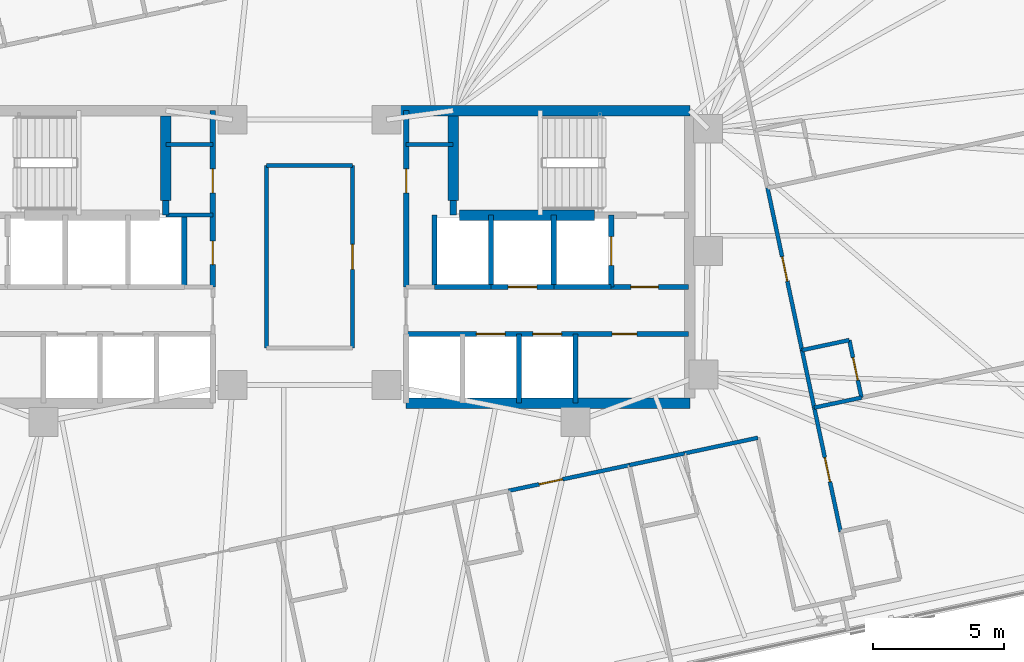
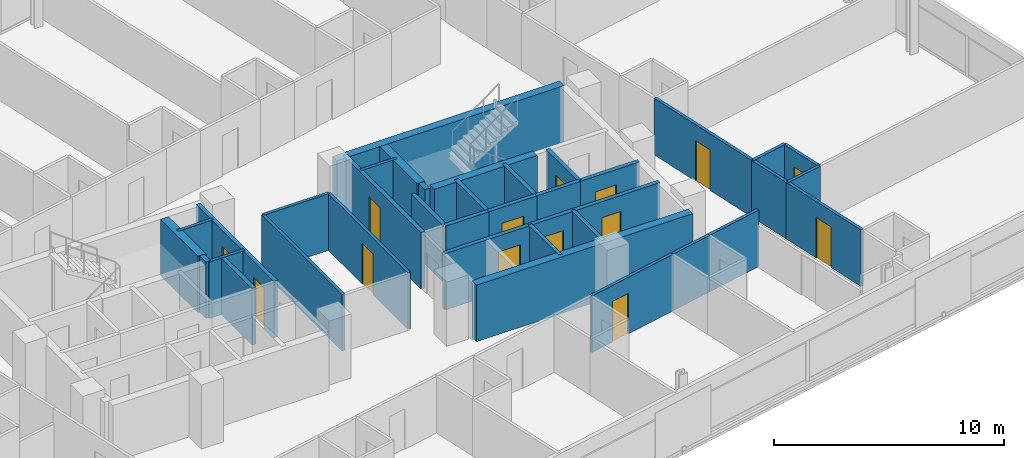
# One storey, part 16 of 20: 36 walls, 14 doors, 14 openings.
"""IFC4 building model written with IfcOpenShell, lengths in metres."""

from ifc_helpers import new_model, si_unit, direction, frame, frame_2d, origin, place, context, subcontext, project, spatial, rectangle, extrude, material, layer, layer_set, type_object, element, fill, save


model = new_model("IFC4")

# Units and contexts
model_context = context("Model", 3, precision=1e-05, world=origin(), true_north=direction((0.0, 1.0)))
body_context = subcontext(model_context, "Body", "Model", "MODEL_VIEW")
ifc_project = project(units=[si_unit("LENGTHUNIT", "METRE"), si_unit("AREAUNIT", "SQUARE_METRE"), si_unit("VOLUMEUNIT", "CUBIC_METRE"), si_unit("PLANEANGLEUNIT", "RADIAN"), si_unit("MASSUNIT", "GRAM", prefix="KILO")], contexts=[model_context])

# Site, building, storey
site_placement = place(None, origin())
site = spatial("IfcSite", under=ifc_project, at=site_placement, CompositionType="ELEMENT")
building_placement = place(site_placement, origin())
building = spatial("IfcBuilding", under=site, at=building_placement, Name="Menara Jurai Vektor", CompositionType="ELEMENT")
storey_placement = place(building_placement, frame((0.0, 0.0, 199.0)))
storey = spatial("IfcBuildingStorey", under=building, at=storey_placement, Name="L52", CompositionType="ELEMENT", Elevation=199.0)

# Walls
ifc_material_1 = material(Name="Concrete C40/50", Category="concrete")
ifc_layer_1 = layer(ifc_material_1, 0.25)
ifc_layer_set_1 = layer_set([ifc_layer_1], Name="Concrete C40/50")
wall_type_1 = type_object("IfcWallType", Name="INT-WALL-CORE-250", PredefinedType="STANDARD", material=ifc_layer_set_1)
for number, where, z_axis, x_axis, name in (
    (1, (-5.5, 1.60009765625, 0.0), (0.0, 0.0, 1.0), (0.0, 1.0, 0.0), "Interior Wall IW-250 L52"),
    (2, (5.5, 1.60009765625, 0.0), (0.0, 0.0, 1.0), (0.0, 1.0, 0.0), "Interior Wall IW-250 L52"),
):
    element("IfcWall", number, at=place(storey_placement, frame(where, z_axis=z_axis, x_axis=x_axis)), inside=storey, type_object=wall_type_1, Name=name, PredefinedType="STANDARD", context=body_context, shape_type="SweptSolid", body=[
        extrude(rectangle(XDim=0.5498046875, YDim=0.25, at=frame_2d((0.27490234375, 0.0))), origin(), (0.0, 0.0, 1.0), 3.0),
    ])

# Wall, opening, door
wall_1_placement = place(storey_placement, frame((11.550048828125, -1.14990234375, 0.0), z_axis=(0.0, 0.0, 1.0), x_axis=(0.0, 1.0, 0.0)))
wall_1 = element("IfcWall", 3, at=wall_1_placement, inside=storey, type_object=wall_type_1, Name="Interior Wall IW-250 L52", PredefinedType="STANDARD", context=body_context, shape_type="SweptSolid", body=[
    extrude(rectangle(XDim=2.75, YDim=0.199951171875, at=frame_2d((1.375, 0.0))), origin(), (0.0, 0.0, 1.0), 3.0),
])
opening_1_placement = place(wall_1_placement, frame((0.824951171875, 0.0, 0.0)))
opening_1 = element("IfcOpeningElement", 4, at=opening_1_placement, cuts=wall_1, Name="Opening LD-L52-FL2", PredefinedType="OPENING", context=body_context, shape_type="SweptSolid", body=[
    extrude(rectangle(XDim=1.10009765625, YDim=2.14990234375, at=frame_2d((0.550048828125, 1.074951171875))), frame((0.0, 0.10986328125, 0.0), z_axis=(0.0, -1.0, 0.0), x_axis=(1.0, 0.0, 0.0)), (0.0, 0.0, 1.0), 0.219970703125),
])
ifc_material_2 = material(Name="Stainless Steel Sliding Lift Landing Door", Category="steel")
door_type_1 = type_object("IfcDoorType", Name="DR-LIFT-FIRE-1100", OperationType="NOTDEFINED", PredefinedType="DOOR", material=ifc_material_2)
door_1_placement = place(opening_1_placement, origin())
door_1 = element("IfcDoor", 5, at=door_1_placement, inside=storey, type_object=door_type_1, Name="Lift Landing Door FL2 L52", OperationType="SLIDING_TO_RIGHT", OverallHeight=2.14990234375, OverallWidth=1.10009765625, PredefinedType="DOOR", context=body_context, shape_type="SweptSolid", body=[
    extrude(rectangle(XDim=1.10009765625, YDim=2.14990234375, at=frame_2d((0.550048828125, 1.074951171875))), frame((0.0, 0.02490234375, 0.0), z_axis=(0.0, -1.0, 0.0), x_axis=(1.0, 0.0, 0.0)), (0.0, 0.0, 1.0), 0.050048828125),
])
fill(opening_1, door_1)

# Wall
wall_2_placement = place(storey_placement, frame((9.35009765625, -1.14990234375, 0.0), z_axis=(0.0, 0.0, 1.0), x_axis=(0.0, 1.0, 0.0)))
element("IfcWall", 6, at=wall_2_placement, inside=storey, type_object=wall_type_1, Name="Interior Wall IW-250 L52", PredefinedType="STANDARD", context=body_context, shape_type="SweptSolid", body=[
    extrude(rectangle(XDim=2.75, YDim=0.199951171875, at=frame_2d((1.375, 0.0))), origin(), (0.0, 0.0, 1.0), 3.0),
])

# Wall, opening, door
wall_3_placement = place(storey_placement, frame((11.550048828125, -1.14990234375, 0.0), z_axis=(0.0, 0.0, 1.0), x_axis=(1.0, 0.0, 0.0)))
wall_3 = element("IfcWall", 7, at=wall_3_placement, inside=storey, type_object=wall_type_1, Name="Interior Wall IW-250 L52", PredefinedType="STANDARD", context=body_context, shape_type="SweptSolid", body=[
    extrude(rectangle(XDim=2.949951171875, YDim=0.199951171875, at=frame_2d((1.47509765625, 0.0))), origin(), (0.0, 0.0, 1.0), 3.0),
])
opening_2_placement = place(wall_3_placement, frame((0.75, 0.0, 0.0)))
opening_2 = element("IfcOpeningElement", 8, at=opening_2_placement, cuts=wall_3, Name="Opening D-L52-FFE", PredefinedType="OPENING", context=body_context, shape_type="SweptSolid", body=[
    extrude(rectangle(XDim=1.050048828125, YDim=2.179931640625, at=frame_2d((0.52490234375, 1.08984375))), frame((0.0, 0.10986328125, 0.0), z_axis=(0.0, -1.0, 0.0), x_axis=(1.0, 0.0, 0.0)), (0.0, 0.0, 1.0), 0.219970703125),
])
ifc_material_3 = material(Name="Fire-Rated Timber Door", Category="wood")
door_type_2 = type_object("IfcDoorType", Name="DR-LOBBY-1050", OperationType="NOTDEFINED", PredefinedType="DOOR", material=ifc_material_3)
door_2_placement = place(opening_2_placement, origin())
door_2 = element("IfcDoor", 9, at=door_2_placement, inside=storey, type_object=door_type_2, Name="Fire Lift Lobby Door E L52", OperationType="SINGLE_SWING_LEFT", OverallHeight=2.179931640625, OverallWidth=1.050048828125, PredefinedType="DOOR", context=body_context, shape_type="SweptSolid", body=[
    extrude(rectangle(XDim=1.050048828125, YDim=2.179931640625, at=frame_2d((0.52490234375, 1.08984375))), frame((0.0, 0.02490234375, 0.0), z_axis=(0.0, -1.0, 0.0), x_axis=(1.0, 0.0, 0.0)), (0.0, 0.0, 1.0), 0.050048828125),
])
fill(opening_2, door_2)

# Walls
wall_4_placement = place(storey_placement, frame((9.35009765625, -1.14990234375, 0.0), z_axis=(0.0, 0.0, 1.0), x_axis=(1.0, 0.0, 0.0)))
element("IfcWall", 10, at=wall_4_placement, inside=storey, type_object=wall_type_1, Name="Interior Wall IW-250 L52", PredefinedType="STANDARD", context=body_context, shape_type="SweptSolid", body=[
    extrude(rectangle(XDim=2.199951171875, YDim=0.199951171875, at=frame_2d((1.10009765625, 0.0))), origin(), (0.0, 0.0, 1.0), 3.0),
])
ifc_material_4 = material(Name="Gypsum Fireboard Partition", Category="gypsum")
ifc_layer_2 = layer(ifc_material_4, 0.14990234375)
ifc_layer_set_2 = layer_set([ifc_layer_2], Name="Gypsum Fireboard Partition")
wall_type_2 = type_object("IfcWallType", Name="INT-WALL-CORR-150", PredefinedType="PARTITIONING", material=ifc_layer_set_2)
for number, where, z_axis, x_axis, name in (
    (11, (-5.5, 4.300048828125, 0.0), (0.0, 0.0, 1.0), (1.0, 0.0, 0.0), "Interior Wall IW-150 L52"),
    (12, (-5.5, 1.60009765625, 0.0), (0.0, 0.0, 1.0), (1.0, 0.0, 0.0), "Interior Wall IW-150 L52"),
    (13, (3.699951171875, 4.300048828125, 0.0), (0.0, 0.0, 1.0), (1.0, 0.0, 0.0), "Interior Wall IW-150 L52"),
):
    element("IfcWall", number, at=place(storey_placement, frame(where, z_axis=z_axis, x_axis=x_axis)), inside=storey, type_object=wall_type_2, Name=name, PredefinedType="PARTITIONING", context=body_context, shape_type="SweptSolid", body=[
        extrude(rectangle(XDim=1.800048828125, YDim=0.14990234375, at=frame_2d((0.89990234375, 0.0))), origin(), (0.0, 0.0, 1.0), 3.0),
    ])
wall_5_placement = place(storey_placement, frame((-1.64990234375, -3.489501953125, 0.0), z_axis=(0.0, 0.0, 1.0), x_axis=(-3.4979712e-05, 0.999999999388, 0.0)))
element("IfcWall", 14, at=wall_5_placement, inside=storey, type_object=wall_type_2, Name="Interior Wall IW-150 L52", PredefinedType="PARTITIONING", context=body_context, shape_type="SweptSolid", body=[
    extrude(rectangle(XDim=6.9794921875, YDim=0.14990234375, at=frame_2d((3.48974609375, 0.0))), origin(), (0.0, 0.0, 1.0), 3.0),
])
wall_6_placement = place(storey_placement, frame((-1.650146484375, 3.489990234375, 0.0), z_axis=(0.0, 0.0, 1.0), x_axis=(1.0, 0.0, 0.0)))
element("IfcWall", 15, at=wall_6_placement, inside=storey, type_object=wall_type_2, Name="Interior Wall IW-150 L52", PredefinedType="PARTITIONING", context=body_context, shape_type="SweptSolid", body=[
    extrude(rectangle(XDim=3.300048828125, YDim=0.14990234375, at=frame_2d((1.64990234375, 0.0))), origin(), (0.0, 0.0, 1.0), 3.0),
])

# Wall, opening, door
wall_7_placement = place(storey_placement, frame((1.650390625, -3.490234375, 0.0), z_axis=(0.0, 0.0, 1.0), x_axis=(-6.9952083e-05, 0.999999997553, 0.0)))
wall_7 = element("IfcWall", 16, at=wall_7_placement, inside=storey, type_object=wall_type_2, Name="Interior Wall IW-150 L52", PredefinedType="PARTITIONING", context=body_context, shape_type="SweptSolid", body=[
    extrude(rectangle(XDim=6.980224609375, YDim=0.14990234375, at=frame_2d((3.490234375, 0.0))), origin(), (0.0, 0.0, 1.0), 3.0),
])
opening_3_placement = place(wall_7_placement, frame((3.01513671875, 0.0, 0.0)))
opening_3 = element("IfcOpeningElement", 17, at=opening_3_placement, cuts=wall_7, Name="Opening D52-06", PredefinedType="OPENING", context=body_context, shape_type="SweptSolid", body=[
    extrude(rectangle(XDim=0.949951171875, YDim=2.14990234375, at=frame_2d((0.47509765625, 1.074951171875))), frame((0.0, 0.0849609375, 0.0), z_axis=(0.0, -1.0, 0.0), x_axis=(1.0, 0.0, 0.0)), (0.0, 0.0, 1.0), 0.169921875),
])
ifc_material_5 = material(Name="Solid Core Timber Fire Door", Category="wood")
door_type_3 = type_object("IfcDoorType", Name="DR-ENTRY-950", OperationType="NOTDEFINED", PredefinedType="DOOR", material=ifc_material_5)
door_3_placement = place(opening_3_placement, origin())
door_3 = element("IfcDoor", 18, at=door_3_placement, inside=storey, type_object=door_type_3, Name="Interior Door D52-06", OperationType="SINGLE_SWING_LEFT", OverallHeight=2.14990234375, OverallWidth=0.949951171875, PredefinedType="DOOR", context=body_context, shape_type="SweptSolid", body=[
    extrude(rectangle(XDim=0.949951171875, YDim=2.14990234375, at=frame_2d((0.47509765625, 1.074951171875))), frame((0.0, 0.02490234375, 0.0), z_axis=(0.0, -1.0, 0.0), x_axis=(1.0, 0.0, 0.0)), (0.0, 0.0, 1.0), 0.050048828125),
])
fill(opening_3, door_3)

wall_8_placement = place(storey_placement, frame((7.61767578125, -8.9541015625, 0.0), z_axis=(0.0, 0.0, 1.0), x_axis=(0.978140347221, 0.207945812984, 0.0)))
wall_8 = element("IfcWall", 19, at=wall_8_placement, inside=storey, type_object=wall_type_2, Name="Interior Wall IW-150 L52", PredefinedType="PARTITIONING", context=body_context, shape_type="SweptSolid", body=[
    extrude(rectangle(XDim=4.72900390625, YDim=0.14990234375, at=frame_2d((2.364501953125, 0.0))), origin(), (0.0, 0.0, 1.0), 3.0),
])
opening_4_placement = place(wall_8_placement, frame((1.1953125, 0.0, 0.0)))
opening_4 = element("IfcOpeningElement", 20, at=opening_4_placement, cuts=wall_8, Name="Opening D52-23", PredefinedType="OPENING", context=body_context, shape_type="SweptSolid", body=[
    extrude(rectangle(XDim=0.919921875, YDim=2.14990234375, at=frame_2d((0.4599609375, 1.074951171875))), frame((0.0, 0.0849609375, 0.0), z_axis=(0.0, -1.0, 0.0), x_axis=(1.0, 0.0, 0.0)), (0.0, 0.0, 1.0), 0.169921875),
])
door_4_placement = place(opening_4_placement, origin())
door_4 = element("IfcDoor", 21, at=door_4_placement, inside=storey, type_object=door_type_3, Name="Interior Door D52-23", OperationType="SINGLE_SWING_RIGHT", OverallHeight=2.14990234375, OverallWidth=0.919921875, PredefinedType="DOOR", context=body_context, shape_type="SweptSolid", body=[
    extrude(rectangle(XDim=0.919921875, YDim=2.14990234375, at=frame_2d((0.4599609375, 1.074951171875))), frame((0.0, 0.02490234375, 0.0), z_axis=(0.0, -1.0, 0.0), x_axis=(1.0, 0.0, 0.0)), (0.0, 0.0, 1.0), 0.050048828125),
])
fill(opening_4, door_4)

# Walls
wall_9_placement = place(storey_placement, frame((14.346435546875, -7.523681640625, 0.0), z_axis=(0.0, 0.0, 1.0), x_axis=(0.97816208355, 0.207843542851, 0.0)))
element("IfcWall", 22, at=wall_9_placement, inside=storey, type_object=wall_type_2, Name="Interior Wall IW-150 L52", PredefinedType="PARTITIONING", context=body_context, shape_type="SweptSolid", body=[
    extrude(rectangle(XDim=2.879150390625, YDim=0.14990234375, at=frame_2d((1.439453125, 0.0))), origin(), (0.0, 0.0, 1.0), 3.0),
])
wall_10_placement = place(storey_placement, frame((12.243408203125, -7.970703125, 0.0), z_axis=(0.0, 0.0, 1.0), x_axis=(0.978146728319, 0.207915795165, 0.0)))
element("IfcWall", 23, at=wall_10_placement, inside=storey, type_object=wall_type_2, Name="Interior Wall IW-150 L52", PredefinedType="PARTITIONING", context=body_context, shape_type="SweptSolid", body=[
    extrude(rectangle(XDim=2.14990234375, YDim=0.14990234375, at=frame_2d((1.074951171875, 0.0))), origin(), (0.0, 0.0, 1.0), 3.0),
])

# Wall, opening, door
wall_11_placement = place(storey_placement, frame((20.328125, -10.515380859375, 0.0), z_axis=(0.0, 0.0, 1.0), x_axis=(-0.207950868925, 0.97813927235, 0.0)))
wall_11 = element("IfcWall", 24, at=wall_11_placement, inside=storey, type_object=wall_type_2, Name="Interior Wall IW-150 L52", PredefinedType="PARTITIONING", context=body_context, shape_type="SweptSolid", body=[
    extrude(rectangle(XDim=4.849853515625, YDim=0.14990234375, at=frame_2d((2.4248046875, 0.0))), origin(), (0.0, 0.0, 1.0), 3.0),
])
opening_5_placement = place(wall_11_placement, frame((1.949951171875, 0.0, 0.0)))
opening_5 = element("IfcOpeningElement", 25, at=opening_5_placement, cuts=wall_11, Name="Opening D52-37", PredefinedType="OPENING", context=body_context, shape_type="SweptSolid", body=[
    extrude(rectangle(XDim=0.949951171875, YDim=2.14990234375, at=frame_2d((0.47509765625, 1.074951171875))), frame((0.0, 0.0849609375, 0.0), z_axis=(0.0, -1.0, 0.0), x_axis=(1.0, 0.0, 0.0)), (0.0, 0.0, 1.0), 0.169921875),
])
door_5_placement = place(opening_5_placement, origin())
door_5 = element("IfcDoor", 26, at=door_5_placement, inside=storey, type_object=door_type_3, Name="Interior Door D52-37", OperationType="SINGLE_SWING_RIGHT", OverallHeight=2.14990234375, OverallWidth=0.949951171875, PredefinedType="DOOR", context=body_context, shape_type="SweptSolid", body=[
    extrude(rectangle(XDim=0.949951171875, YDim=2.14990234375, at=frame_2d((0.47509765625, 1.074951171875))), frame((0.0, 0.02490234375, 0.0), z_axis=(0.0, -1.0, 0.0), x_axis=(1.0, 0.0, 0.0)), (0.0, 0.0, 1.0), 0.050048828125),
])
fill(opening_5, door_5)

wall_12_placement = place(storey_placement, frame((18.851806640625, -3.57080078125, 0.0), z_axis=(0.0, 0.0, 1.0), x_axis=(-0.207879907349, 0.978154355979, 0.0)))
wall_12 = element("IfcWall", 27, at=wall_12_placement, inside=storey, type_object=wall_type_2, Name="Interior Wall IW-150 L52", PredefinedType="PARTITIONING", context=body_context, shape_type="SweptSolid", body=[
    extrude(rectangle(XDim=6.35009765625, YDim=0.14990234375, at=frame_2d((3.175048828125, 0.0))), origin(), (0.0, 0.0, 1.0), 3.0),
])
opening_6_placement = place(wall_12_placement, frame((2.699951171875, 0.0, 0.0)))
opening_6 = element("IfcOpeningElement", 28, at=opening_6_placement, cuts=wall_12, Name="Opening D52-39", PredefinedType="OPENING", context=body_context, shape_type="SweptSolid", body=[
    extrude(rectangle(XDim=0.949951171875, YDim=2.14990234375, at=frame_2d((0.47509765625, 1.074951171875))), frame((0.0, 0.0849609375, 0.0), z_axis=(0.0, -1.0, 0.0), x_axis=(1.0, 0.0, 0.0)), (0.0, 0.0, 1.0), 0.169921875),
])
door_6_placement = place(opening_6_placement, origin())
door_6 = element("IfcDoor", 29, at=door_6_placement, inside=storey, type_object=door_type_3, Name="Interior Door D52-39", OperationType="SINGLE_SWING_RIGHT", OverallHeight=2.14990234375, OverallWidth=0.949951171875, PredefinedType="DOOR", context=body_context, shape_type="SweptSolid", body=[
    extrude(rectangle(XDim=0.949951171875, YDim=2.14990234375, at=frame_2d((0.47509765625, 1.074951171875))), frame((0.0, 0.02490234375, 0.0), z_axis=(0.0, -1.0, 0.0), x_axis=(1.0, 0.0, 0.0)), (0.0, 0.0, 1.0), 0.050048828125),
])
fill(opening_6, door_6)

# Walls
wall_13_placement = place(storey_placement, frame((19.319580078125, -5.771484375, 0.0), z_axis=(0.0, 0.0, 1.0), x_axis=(-0.207913264065, 0.978147266328, 0.0)))
element("IfcWall", 30, at=wall_13_placement, inside=storey, type_object=wall_type_2, Name="Interior Wall IW-150 L52", PredefinedType="PARTITIONING", context=body_context, shape_type="SweptSolid", body=[
    extrude(rectangle(XDim=2.249755859375, YDim=0.14990234375, at=frame_2d((1.125, 0.0))), origin(), (0.0, 0.0, 1.0), 3.0),
])
wall_14_placement = place(storey_placement, frame((19.319580078125, -5.771484375, 0.0), z_axis=(0.0, 0.0, 1.0), x_axis=(0.978165892835, 0.207825614625, 0.0)))
element("IfcWall", 31, at=wall_14_placement, inside=storey, type_object=wall_type_2, Name="Interior Wall IW-150 L52", PredefinedType="PARTITIONING", context=body_context, shape_type="SweptSolid", body=[
    extrude(rectangle(XDim=1.85009765625, YDim=0.14990234375, at=frame_2d((0.925048828125, 0.0))), origin(), (0.0, 0.0, 1.0), 3.0),
])
wall_15_placement = place(storey_placement, frame((18.851806640625, -3.57080078125, 0.0), z_axis=(0.0, 0.0, 1.0), x_axis=(0.978139061018, 0.207951862966, 0.0)))
element("IfcWall", 32, at=wall_15_placement, inside=storey, type_object=wall_type_2, Name="Interior Wall IW-150 L52", PredefinedType="PARTITIONING", context=body_context, shape_type="SweptSolid", body=[
    extrude(rectangle(XDim=1.850341796875, YDim=0.14990234375, at=frame_2d((0.92529296875, 0.0))), origin(), (0.0, 0.0, 1.0), 3.0),
])

# Wall, opening, door
wall_16_placement = place(storey_placement, frame((21.12939453125, -5.386962890625, 0.0), z_axis=(0.0, 0.0, 1.0), x_axis=(-0.207891197838, 0.978151956427, 0.0)))
wall_16 = element("IfcWall", 33, at=wall_16_placement, inside=storey, type_object=wall_type_2, Name="Interior Wall IW-150 L52", PredefinedType="PARTITIONING", context=body_context, shape_type="SweptSolid", body=[
    extrude(rectangle(XDim=2.25, YDim=0.14990234375, at=frame_2d((1.125, 0.0))), origin(), (0.0, 0.0, 1.0), 3.0),
])
opening_7_placement = place(wall_16_placement, frame((0.68505859375, 0.0, 0.0)))
opening_7 = element("IfcOpeningElement", 34, at=opening_7_placement, cuts=wall_16, Name="Opening D52-40", PredefinedType="OPENING", context=body_context, shape_type="SweptSolid", body=[
    extrude(rectangle(XDim=0.8798828125, YDim=2.14990234375, at=frame_2d((0.43994140625, 1.074951171875))), frame((0.0, 0.0849609375, 0.0), z_axis=(0.0, -1.0, 0.0), x_axis=(1.0, 0.0, 0.0)), (0.0, 0.0, 1.0), 0.169921875),
])
ifc_material_6 = material(Name="Moisture-Resistant Timber Door", Category="wood")
door_type_4 = type_object("IfcDoorType", Name="DR-BATH-880", OperationType="NOTDEFINED", PredefinedType="DOOR", material=ifc_material_6)
door_7_placement = place(opening_7_placement, origin())
door_7 = element("IfcDoor", 35, at=door_7_placement, inside=storey, type_object=door_type_4, Name="Interior Door D52-40", OperationType="SINGLE_SWING_LEFT", OverallHeight=2.14990234375, OverallWidth=0.8798828125, PredefinedType="DOOR", context=body_context, shape_type="SweptSolid", body=[
    extrude(rectangle(XDim=0.8798828125, YDim=2.14990234375, at=frame_2d((0.43994140625, 1.074951171875))), frame((0.0, 0.02490234375, 0.0), z_axis=(0.0, -1.0, 0.0), x_axis=(1.0, 0.0, 0.0)), (0.0, 0.0, 1.0), 0.050048828125),
])
fill(opening_7, door_7)

# Wall, openings, doors
ifc_layer_3 = layer(ifc_material_1, 0.199951171875)
ifc_layer_set_3 = layer_set([ifc_layer_3], Name="Concrete C40/50")
wall_type_3 = type_object("IfcWallType", Name="INT-WALL-SHAFT-200", PredefinedType="STANDARD", material=ifc_layer_set_3)
wall_17_placement = place(storey_placement, frame((-3.699951171875, -1.14990234375, 0.0), z_axis=(0.0, 0.0, 1.0), x_axis=(0.0, 1.0, 0.0)))
wall_17 = element("IfcWall", 36, at=wall_17_placement, inside=storey, type_object=wall_type_3, Name="Interior Wall IW-200 L52", PredefinedType="STANDARD", context=body_context, shape_type="SweptSolid", body=[
    extrude(rectangle(XDim=6.75, YDim=0.199951171875, at=frame_2d((3.375, 0.0))), origin(), (0.0, 0.0, 1.0), 3.0),
])
opening_8_placement = place(wall_17_placement, frame((3.60009765625, 0.0, 0.0)))
opening_8 = element("IfcOpeningElement", 37, at=opening_8_placement, cuts=wall_17, Name="Opening D52-02", PredefinedType="OPENING", context=body_context, shape_type="SweptSolid", body=[
    extrude(rectangle(XDim=0.919921875, YDim=2.14990234375, at=frame_2d((0.4599609375, 1.074951171875))), frame((0.0, 0.10986328125, 0.0), z_axis=(0.0, -1.0, 0.0), x_axis=(1.0, 0.0, 0.0)), (0.0, 0.0, 1.0), 0.219970703125),
])
opening_9_placement = place(wall_17_placement, frame((0.85009765625, 0.0, 0.0)))
opening_9 = element("IfcOpeningElement", 38, at=opening_9_placement, cuts=wall_17, Name="Opening D52-03", PredefinedType="OPENING", context=body_context, shape_type="SweptSolid", body=[
    extrude(rectangle(XDim=0.89990234375, YDim=2.14990234375, at=frame_2d((0.449951171875, 1.074951171875))), frame((0.0, 0.10986328125, 0.0), z_axis=(0.0, -1.0, 0.0), x_axis=(1.0, 0.0, 0.0)), (0.0, 0.0, 1.0), 0.219970703125),
])
door_8_placement = place(opening_8_placement, origin())
door_8 = element("IfcDoor", 39, at=door_8_placement, inside=storey, type_object=door_type_3, Name="Interior Door D52-02", OperationType="SINGLE_SWING_LEFT", OverallHeight=2.14990234375, OverallWidth=0.919921875, PredefinedType="DOOR", context=body_context, shape_type="SweptSolid", body=[
    extrude(rectangle(XDim=0.919921875, YDim=2.14990234375, at=frame_2d((0.4599609375, 1.074951171875))), frame((0.0, 0.02490234375, 0.0), z_axis=(0.0, -1.0, 0.0), x_axis=(1.0, 0.0, 0.0)), (0.0, 0.0, 1.0), 0.050048828125),
])
fill(opening_8, door_8)
door_9_placement = place(opening_9_placement, origin())
door_9 = element("IfcDoor", 40, at=door_9_placement, inside=storey, type_object=door_type_3, Name="Interior Door D52-03", OperationType="SINGLE_SWING_LEFT", OverallHeight=2.14990234375, OverallWidth=0.89990234375, PredefinedType="DOOR", context=body_context, shape_type="SweptSolid", body=[
    extrude(rectangle(XDim=0.89990234375, YDim=2.14990234375, at=frame_2d((0.449951171875, 1.074951171875))), frame((0.0, 0.02490234375, 0.0), z_axis=(0.0, -1.0, 0.0), x_axis=(1.0, 0.0, 0.0)), (0.0, 0.0, 1.0), 0.050048828125),
])
fill(opening_9, door_9)

# Wall
wall_18_placement = place(storey_placement, frame((-4.7900390625, -1.14990234375, 0.0), z_axis=(0.0, 0.0, 1.0), x_axis=(0.0, 1.0, 0.0)))
element("IfcWall", 41, at=wall_18_placement, inside=storey, type_object=wall_type_3, Name="Interior Wall IW-200 L52", PredefinedType="STANDARD", context=body_context, shape_type="SweptSolid", body=[
    extrude(rectangle(XDim=2.75, YDim=0.199951171875, at=frame_2d((1.375, 0.0))), origin(), (0.0, 0.0, 1.0), 3.0),
])

# Wall, opening, door
wall_19_placement = place(storey_placement, frame((3.699951171875, -1.14990234375, 0.0), z_axis=(0.0, 0.0, 1.0), x_axis=(0.0, 1.0, 0.0)))
wall_19 = element("IfcWall", 42, at=wall_19_placement, inside=storey, type_object=wall_type_3, Name="Interior Wall IW-200 L52", PredefinedType="STANDARD", context=body_context, shape_type="SweptSolid", body=[
    extrude(rectangle(XDim=6.75, YDim=0.199951171875, at=frame_2d((3.375, 0.0))), origin(), (0.0, 0.0, 1.0), 3.0),
])
opening_10_placement = place(wall_19_placement, frame((3.60009765625, 0.0, 0.0)))
opening_10 = element("IfcOpeningElement", 43, at=opening_10_placement, cuts=wall_19, Name="Opening D52-05", PredefinedType="OPENING", context=body_context, shape_type="SweptSolid", body=[
    extrude(rectangle(XDim=0.919921875, YDim=2.14990234375, at=frame_2d((0.4599609375, 1.074951171875))), frame((0.0, 0.10986328125, 0.0), z_axis=(0.0, -1.0, 0.0), x_axis=(1.0, 0.0, 0.0)), (0.0, 0.0, 1.0), 0.219970703125),
])
door_10_placement = place(opening_10_placement, origin())
door_10 = element("IfcDoor", 44, at=door_10_placement, inside=storey, type_object=door_type_3, Name="Interior Door D52-05", OperationType="SINGLE_SWING_RIGHT", OverallHeight=2.14990234375, OverallWidth=0.919921875, PredefinedType="DOOR", context=body_context, shape_type="SweptSolid", body=[
    extrude(rectangle(XDim=0.919921875, YDim=2.14990234375, at=frame_2d((0.4599609375, 1.074951171875))), frame((0.0, 0.02490234375, 0.0), z_axis=(0.0, -1.0, 0.0), x_axis=(1.0, 0.0, 0.0)), (0.0, 0.0, 1.0), 0.050048828125),
])
fill(opening_10, door_10)

# Wall
wall_20_placement = place(storey_placement, frame((6.949951171875, -1.14990234375, 0.0), z_axis=(0.0, 0.0, 1.0), x_axis=(0.0, 1.0, 0.0)))
element("IfcWall", 45, at=wall_20_placement, inside=storey, type_object=wall_type_3, Name="Interior Wall IW-200 L52", PredefinedType="STANDARD", context=body_context, shape_type="SweptSolid", body=[
    extrude(rectangle(XDim=2.75, YDim=0.199951171875, at=frame_2d((1.375, 0.0))), origin(), (0.0, 0.0, 1.0), 3.0),
])

# Wall, opening, door
wall_21_placement = place(storey_placement, frame((6.949951171875, -1.14990234375, 0.0), z_axis=(0.0, 0.0, 1.0), x_axis=(1.0, 0.0, 0.0)))
wall_21 = element("IfcWall", 46, at=wall_21_placement, inside=storey, type_object=wall_type_3, Name="Interior Wall IW-200 L52", PredefinedType="STANDARD", context=body_context, shape_type="SweptSolid", body=[
    extrude(rectangle(XDim=2.400146484375, YDim=0.199951171875, at=frame_2d((1.2001953125, 0.0))), origin(), (0.0, 0.0, 1.0), 3.0),
])
opening_11_placement = place(wall_21_placement, frame((0.64990234375, 0.0, 0.0)))
opening_11 = element("IfcOpeningElement", 47, at=opening_11_placement, cuts=wall_21, Name="Opening LD-L52-SVL2", PredefinedType="OPENING", context=body_context, shape_type="SweptSolid", body=[
    extrude(rectangle(XDim=1.10009765625, YDim=2.14990234375, at=frame_2d((0.550048828125, 1.074951171875))), frame((0.0, 0.10986328125, 0.0), z_axis=(0.0, -1.0, 0.0), x_axis=(1.0, 0.0, 0.0)), (0.0, 0.0, 1.0), 0.219970703125),
])
ifc_material_7 = material(Name="Anodised Stainless Sliding Lift Landing Door", Category="steel")
door_type_5 = type_object("IfcDoorType", Name="DR-LIFT-PASS-1100", OperationType="NOTDEFINED", PredefinedType="DOOR", material=ifc_material_7)
door_11_placement = place(opening_11_placement, origin())
door_11 = element("IfcDoor", 48, at=door_11_placement, inside=storey, type_object=door_type_5, Name="Lift Landing Door SVL2 L52", OperationType="SLIDING_TO_RIGHT", OverallHeight=2.14990234375, OverallWidth=1.10009765625, PredefinedType="DOOR", context=body_context, shape_type="SweptSolid", body=[
    extrude(rectangle(XDim=1.10009765625, YDim=2.14990234375, at=frame_2d((0.550048828125, 1.074951171875))), frame((0.0, 0.02490234375, 0.0), z_axis=(0.0, -1.0, 0.0), x_axis=(1.0, 0.0, 0.0)), (0.0, 0.0, 1.0), 0.050048828125),
])
fill(opening_11, door_11)

# Walls
wall_22_placement = place(storey_placement, frame((4.7900390625, -1.14990234375, 0.0), z_axis=(0.0, 0.0, 1.0), x_axis=(0.0, 1.0, 0.0)))
element("IfcWall", 49, at=wall_22_placement, inside=storey, type_object=wall_type_3, Name="Interior Wall IW-200 L52", PredefinedType="STANDARD", context=body_context, shape_type="SweptSolid", body=[
    extrude(rectangle(XDim=2.75, YDim=0.199951171875, at=frame_2d((1.375, 0.0))), origin(), (0.0, 0.0, 1.0), 3.0),
])
wall_23_placement = place(storey_placement, frame((4.7900390625, -1.14990234375, 0.0), z_axis=(0.0, 0.0, 1.0), x_axis=(1.0, 0.0, 0.0)))
element("IfcWall", 50, at=wall_23_placement, inside=storey, type_object=wall_type_3, Name="Interior Wall IW-200 L52", PredefinedType="STANDARD", context=body_context, shape_type="SweptSolid", body=[
    extrude(rectangle(XDim=2.159912109375, YDim=0.199951171875, at=frame_2d((1.080078125, 0.0))), origin(), (0.0, 0.0, 1.0), 3.0),
])

# Wall, openings, doors
wall_24_placement = place(storey_placement, frame((3.699951171875, -2.949951171875, 0.0), z_axis=(0.0, 0.0, 1.0), x_axis=(1.0, 0.0, 0.0)))
wall_24 = element("IfcWall", 51, at=wall_24_placement, inside=storey, type_object=wall_type_3, Name="Interior Wall IW-200 L52", PredefinedType="STANDARD", context=body_context, shape_type="SweptSolid", body=[
    extrude(rectangle(XDim=10.800048828125, YDim=0.199951171875, at=frame_2d((5.39990234375, 0.0))), origin(), (0.0, 0.0, 1.0), 3.0),
])
opening_12_placement = place(wall_24_placement, frame((2.68994140625, 0.0, 0.0)))
opening_12 = element("IfcOpeningElement", 52, at=opening_12_placement, cuts=wall_24, Name="Opening LD-L52-PM3", PredefinedType="OPENING", context=body_context, shape_type="SweptSolid", body=[
    extrude(rectangle(XDim=1.10009765625, YDim=2.14990234375, at=frame_2d((0.550048828125, 1.074951171875))), frame((0.0, 0.10986328125, 0.0), z_axis=(0.0, -1.0, 0.0), x_axis=(1.0, 0.0, 0.0)), (0.0, 0.0, 1.0), 0.219970703125),
])
opening_13_placement = place(wall_24_placement, frame((4.85009765625, 0.0, 0.0)))
opening_13 = element("IfcOpeningElement", 53, at=opening_13_placement, cuts=wall_24, Name="Opening LD-L52-PM4", PredefinedType="OPENING", context=body_context, shape_type="SweptSolid", body=[
    extrude(rectangle(XDim=1.10009765625, YDim=2.14990234375, at=frame_2d((0.550048828125, 1.074951171875))), frame((0.0, 0.10986328125, 0.0), z_axis=(0.0, -1.0, 0.0), x_axis=(1.0, 0.0, 0.0)), (0.0, 0.0, 1.0), 0.219970703125),
])
opening_14_placement = place(wall_24_placement, frame((7.8798828125, 0.0, 0.0)))
opening_14 = element("IfcOpeningElement", 54, at=opening_14_placement, cuts=wall_24, Name="Opening D52-04", PredefinedType="OPENING", context=body_context, shape_type="SweptSolid", body=[
    extrude(rectangle(XDim=0.949951171875, YDim=2.14990234375, at=frame_2d((0.47509765625, 1.074951171875))), frame((0.0, 0.10986328125, 0.0), z_axis=(0.0, -1.0, 0.0), x_axis=(1.0, 0.0, 0.0)), (0.0, 0.0, 1.0), 0.219970703125),
])
door_12_placement = place(opening_14_placement, origin())
door_12 = element("IfcDoor", 55, at=door_12_placement, inside=storey, type_object=door_type_3, Name="Interior Door D52-04", OperationType="SINGLE_SWING_LEFT", OverallHeight=2.14990234375, OverallWidth=0.949951171875, PredefinedType="DOOR", context=body_context, shape_type="SweptSolid", body=[
    extrude(rectangle(XDim=0.949951171875, YDim=2.14990234375, at=frame_2d((0.47509765625, 1.074951171875))), frame((0.0, 0.02490234375, 0.0), z_axis=(0.0, -1.0, 0.0), x_axis=(1.0, 0.0, 0.0)), (0.0, 0.0, 1.0), 0.050048828125),
])
fill(opening_14, door_12)
door_13_placement = place(opening_12_placement, origin())
door_13 = element("IfcDoor", 56, at=door_13_placement, inside=storey, type_object=door_type_5, Name="Lift Landing Door PM3 L52", OperationType="SLIDING_TO_LEFT", OverallHeight=2.14990234375, OverallWidth=1.10009765625, PredefinedType="DOOR", context=body_context, shape_type="SweptSolid", body=[
    extrude(rectangle(XDim=1.10009765625, YDim=2.14990234375, at=frame_2d((0.550048828125, 1.074951171875))), frame((0.0, 0.02490234375, 0.0), z_axis=(0.0, -1.0, 0.0), x_axis=(1.0, 0.0, 0.0)), (0.0, 0.0, 1.0), 0.050048828125),
])
fill(opening_12, door_13)
door_14_placement = place(opening_13_placement, origin())
door_14 = element("IfcDoor", 57, at=door_14_placement, inside=storey, type_object=door_type_5, Name="Lift Landing Door PM4 L52", OperationType="SLIDING_TO_RIGHT", OverallHeight=2.14990234375, OverallWidth=1.10009765625, PredefinedType="DOOR", context=body_context, shape_type="SweptSolid", body=[
    extrude(rectangle(XDim=1.10009765625, YDim=2.14990234375, at=frame_2d((0.550048828125, 1.074951171875))), frame((0.0, 0.02490234375, 0.0), z_axis=(0.0, -1.0, 0.0), x_axis=(1.0, 0.0, 0.0)), (0.0, 0.0, 1.0), 0.050048828125),
])
fill(opening_13, door_14)

# Walls
for number, where, z_axis, x_axis, name in (
    (58, (10.179931640625, -5.60009765625, 0.0), (0.0, 0.0, 1.0), (0.0, 1.0, 0.0), "Interior Wall IW-200 L52"),
    (59, (8.02001953125, -5.60009765625, 0.0), (0.0, 0.0, 1.0), (0.0, 1.0, 0.0), "Interior Wall IW-200 L52"),
):
    element("IfcWall", number, at=place(storey_placement, frame(where, z_axis=z_axis, x_axis=x_axis)), inside=storey, type_object=wall_type_3, Name=name, PredefinedType="STANDARD", context=body_context, shape_type="SweptSolid", body=[
        extrude(rectangle(XDim=2.650146484375, YDim=0.179931640625, at=frame_2d((1.3251953125, 0.0))), origin(), (0.0, 0.0, 1.0), 3.0),
    ])
ifc_material_8 = material(Name="Concrete C50/60", Category="concrete")
ifc_layer_4 = layer(ifc_material_8, 0.39990234375)
ifc_layer_set_4 = layer_set([ifc_layer_4], Name="Concrete C50/60")
wall_type_4 = type_object("IfcWallType", Name="STR-WALL-CORE400", PredefinedType="SHEAR", material=ifc_layer_set_4)
wall_25_placement = place(storey_placement, frame((-5.5, 2.14990234375, 0.0), z_axis=(0.0, 0.0, 1.0), x_axis=(0.0, 1.0, 0.0)))
element("IfcWall", 60, at=wall_25_placement, inside=storey, type_object=wall_type_4, Name="Core Shear Wall CW-W-ST L52", PredefinedType="SHEAR", context=body_context, shape_type="SweptSolid", body=[
    extrude(rectangle(XDim=3.25, YDim=0.39990234375, at=frame_2d((1.625, 0.0))), origin(), (0.0, 0.0, 1.0), 3.0),
])
wall_26_placement = place(storey_placement, frame((3.14990234375, 5.60009765625, 0.0), z_axis=(0.0, 0.0, 1.0), x_axis=(1.0, 0.0, 0.0)))
element("IfcWall", 61, at=wall_26_placement, inside=storey, type_object=wall_type_4, Name="Core Shear Wall CW-E-N L52", PredefinedType="SHEAR", context=body_context, shape_type="SweptSolid", body=[
    extrude(rectangle(XDim=11.41015625, YDim=0.39990234375, at=frame_2d((5.705078125, 0.0))), origin(), (0.0, 0.0, 1.0), 3.0),
])
wall_27_placement = place(storey_placement, frame((3.699951171875, -5.60009765625, 0.0), z_axis=(0.0, 0.0, 1.0), x_axis=(1.0, 0.0, 0.0)))
element("IfcWall", 62, at=wall_27_placement, inside=storey, type_object=wall_type_4, Name="Core Shear Wall CW-E-S L52", PredefinedType="SHEAR", context=body_context, shape_type="SweptSolid", body=[
    extrude(rectangle(XDim=10.860107421875, YDim=0.39990234375, at=frame_2d((5.43017578125, 0.0))), origin(), (0.0, 0.0, 1.0), 3.0),
])
wall_28_placement = place(storey_placement, frame((5.5, 2.14990234375, 0.0), z_axis=(0.0, 0.0, 1.0), x_axis=(0.0, 1.0, 0.0)))
element("IfcWall", 63, at=wall_28_placement, inside=storey, type_object=wall_type_4, Name="Core Shear Wall CW-E-ST L52", PredefinedType="SHEAR", context=body_context, shape_type="SweptSolid", body=[
    extrude(rectangle(XDim=3.25, YDim=0.39990234375, at=frame_2d((1.625, 0.0))), origin(), (0.0, 0.0, 1.0), 3.0),
])
wall_29_placement = place(storey_placement, frame((5.75, 1.60009765625, 0.0), z_axis=(0.0, 0.0, 1.0), x_axis=(1.0, 0.0, 0.0)))
element("IfcWall", 64, at=wall_29_placement, inside=storey, type_object=wall_type_4, Name="Core Shear Wall CW-E-STS L52", PredefinedType="SHEAR", context=body_context, shape_type="SweptSolid", body=[
    extrude(rectangle(XDim=5.14990234375, YDim=0.39990234375, at=frame_2d((2.574951171875, 0.0))), origin(), (0.0, 0.0, 1.0), 3.0),
])

save(model, "model.ifc")
